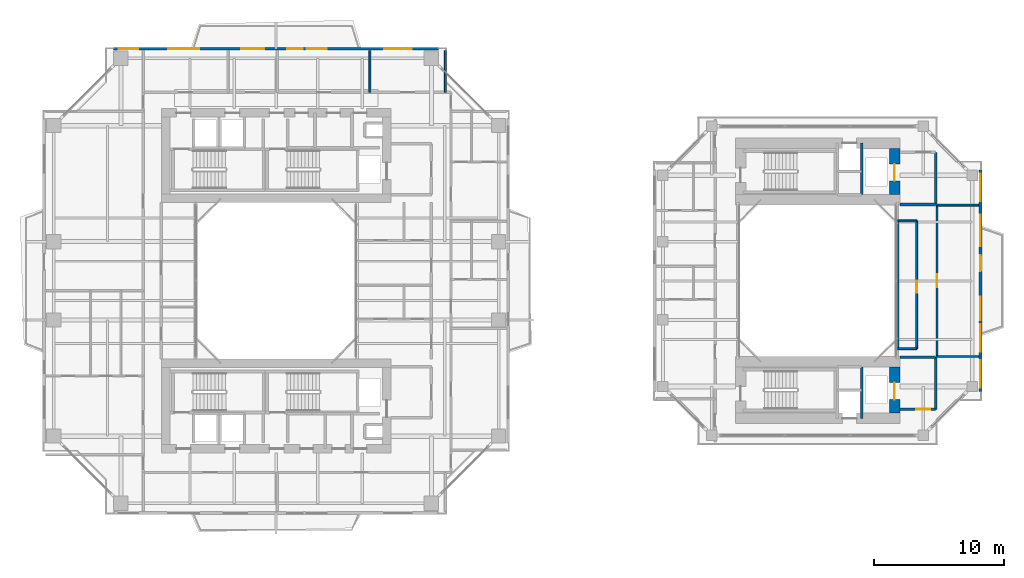
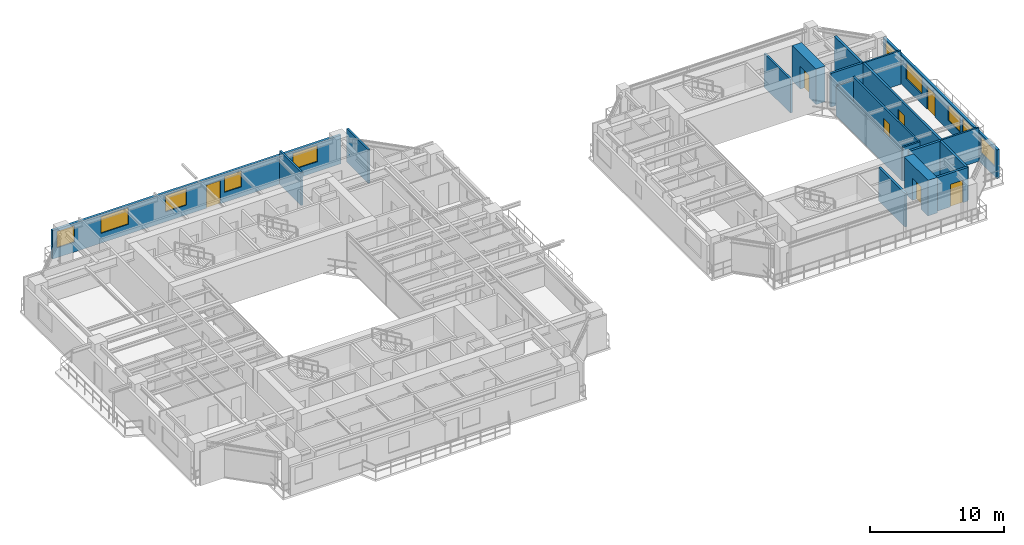
# One storey, part 18 of 23: 20 walls, 10 windows, 7 doors, 17 openings.
"""IFC4 building model written with IfcOpenShell, lengths in metres."""

from ifc_helpers import new_model, si_unit, direction, frame, frame_2d, origin, place, context, subcontext, project, spatial, rectangle, extrude, source, transform, mapped, material, layer, layer_set, type_object, element, fill, save


model = new_model("IFC4")

# Units and contexts
model_context = context("Model", 3, precision=1e-05, world=origin(), true_north=direction((0.0, 1.0)))
body_context = subcontext(model_context, "Body", "Model", "MODEL_VIEW")
ifc_project = project(units=[si_unit("LENGTHUNIT", "METRE"), si_unit("AREAUNIT", "SQUARE_METRE"), si_unit("VOLUMEUNIT", "CUBIC_METRE"), si_unit("PLANEANGLEUNIT", "RADIAN"), si_unit("MASSUNIT", "GRAM", prefix="KILO"), si_unit("THERMODYNAMICTEMPERATUREUNIT", "KELVIN"), si_unit("POWERUNIT", "WATT")], contexts=[model_context])

# Site, building, storey
site_placement = place(None, origin())
site = spatial("IfcSite", under=ifc_project, at=site_placement, CompositionType="ELEMENT")
building_placement = place(site_placement, origin())
building = spatial("IfcBuilding", under=site, at=building_placement, Name="Qiaomeng Ring Towers", CompositionType="ELEMENT")
storey_placement = place(building_placement, frame((0.0, 0.0, 100.25)))
storey = spatial("IfcBuildingStorey", under=building, at=storey_placement, Name="L28", CompositionType="ELEMENT", Elevation=100.25)

# Wall, openings, windows, door
ifc_material_1 = material(Name="Precast concrete C40", Category="concrete")
ifc_layer_1 = layer(ifc_material_1, 0.219970703125, Name="Precast concrete C40")
ifc_layer_set_1 = layer_set([ifc_layer_1], Name="Precast concrete C40")
wall_type_1 = type_object("IfcWallType", Name="ARC-WL-EW2", PredefinedType="STANDARD", material=ifc_layer_set_1)
wall_1_placement = place(storey_placement, frame((6.550048828125, 40.7900390625, 0.0), z_axis=(0.0, 0.0, 1.0), x_axis=(1.0, 0.0, 0.0)))
wall_1 = element("IfcWall", 1, at=wall_1_placement, inside=storey, type_object=wall_type_1, Name="L28 Tower 1 N Exterior Wall", PredefinedType="STANDARD", context=body_context, shape_type="SweptSolid", body=[
    extrude(rectangle(XDim=24.89990234375, YDim=0.219970703125, at=frame_2d((12.449951171875, 0.0))), origin(), (0.0, 0.0, 1.0), 2.610107421875),
])
opening_1_placement = place(wall_1_placement, frame((13.300048828125, 0.0, 0.0)))
opening_1 = element("IfcOpeningElement", 2, at=opening_1_placement, cuts=wall_1, Name="Opening BD1", PredefinedType="OPENING", context=body_context, shape_type="SweptSolid", body=[
    extrude(rectangle(XDim=1.199951171875, YDim=2.10009765625, at=frame_2d((0.60009765625, 1.050048828125))), frame((0.0, 0.119873046875, 0.0), z_axis=(0.0, -1.0, 0.0), x_axis=(1.0, 0.0, 0.0)), (0.0, 0.0, 1.0), 0.239990234375),
])
opening_2_placement = place(wall_1_placement, frame((0.392578125, 0.0, 0.89990234375)))
opening_2 = element("IfcOpeningElement", 3, at=opening_2_placement, cuts=wall_1, Name="Opening WN2", PredefinedType="OPENING", context=body_context, shape_type="SweptSolid", body=[
    extrude(rectangle(XDim=1.5, YDim=1.5, at=frame_2d((0.75, 0.75))), frame((0.0, 0.119873046875, 0.0), z_axis=(0.0, -1.0, 0.0), x_axis=(1.0, 0.0, 0.0)), (0.0, 0.0, 1.0), 0.239990234375),
])
opening_3_placement = place(wall_1_placement, frame((9.760009765625, 0.0, 0.89990234375)))
opening_3 = element("IfcOpeningElement", 4, at=opening_3_placement, cuts=wall_1, Name="Opening WN1", PredefinedType="OPENING", context=body_context, shape_type="SweptSolid", body=[
    extrude(rectangle(XDim=1.800048828125, YDim=1.5, at=frame_2d((0.89990234375, 0.75))), frame((0.0, 0.119873046875, 0.0), z_axis=(0.0, -1.0, 0.0), x_axis=(1.0, 0.0, 0.0)), (0.0, 0.0, 1.0), 0.239990234375),
])
opening_4_placement = place(wall_1_placement, frame((14.81298828125, 0.0, 0.89990234375)))
opening_4 = element("IfcOpeningElement", 5, at=opening_4_placement, cuts=wall_1, Name="Opening WN2", PredefinedType="OPENING", context=body_context, shape_type="SweptSolid", body=[
    extrude(rectangle(XDim=1.5, YDim=1.449951171875, at=frame_2d((0.75, 0.72509765625))), frame((0.0, 0.119873046875, 0.0), z_axis=(0.0, -1.0, 0.0), x_axis=(1.0, 0.0, 0.0)), (0.0, 0.0, 1.0), 0.239990234375),
])
opening_5_placement = place(wall_1_placement, frame((20.738037109375, 0.0, 0.89990234375)))
opening_5 = element("IfcOpeningElement", 6, at=opening_5_placement, cuts=wall_1, Name="Opening WN4", PredefinedType="OPENING", context=body_context, shape_type="SweptSolid", body=[
    extrude(rectangle(XDim=2.10009765625, YDim=1.47998046875, at=frame_2d((1.050048828125, 0.739990234375))), frame((0.0, 0.119873046875, 0.0), z_axis=(0.0, -1.0, 0.0), x_axis=(1.0, 0.0, 0.0)), (0.0, 0.0, 1.0), 0.239990234375),
])
opening_6_placement = place(wall_1_placement, frame((4.17138671875, 0.0, 0.89990234375)))
opening_6 = element("IfcOpeningElement", 7, at=opening_6_placement, cuts=wall_1, Name="Opening WN6", PredefinedType="OPENING", context=body_context, shape_type="SweptSolid", body=[
    extrude(rectangle(XDim=2.39990234375, YDim=1.5, at=frame_2d((1.199951171875, 0.75))), frame((0.0, 0.119873046875, 0.0), z_axis=(0.0, -1.0, 0.0), x_axis=(1.0, 0.0, 0.0)), (0.0, 0.0, 1.0), 0.239990234375),
])
ifc_material_2 = material(Name="Low-E dark-grey laminated double glazing", Category="glass")
window_type_1 = type_object("IfcWindowType", Name="ARC-WN-2", PartitioningType="DOUBLE_PANEL_VERTICAL", PredefinedType="WINDOW", material=ifc_material_2)
shared_shape_1 = source(origin(), body_context, "Body", "SweptSolid", [
    extrude(rectangle(XDim=1.5, YDim=1.449951171875, at=frame_2d((0.75, 0.72509765625))), frame((0.0, 0.030029296875, 0.0), z_axis=(0.0, -1.0, 0.0), x_axis=(1.0, 0.0, 0.0)), (0.0, 0.0, 1.0), 0.06005859375),
])
window_1_placement = place(opening_4_placement, origin())
window_1 = element("IfcWindow", 8, at=window_1_placement, inside=storey, type_object=window_type_1, Name="L28 Exterior Window WN2", OverallHeight=1.449951171875, OverallWidth=1.5, PartitioningType="DOUBLE_PANEL_VERTICAL", PredefinedType="WINDOW", context=body_context, shape_type="MappedRepresentation", body=[
    mapped(shared_shape_1, transform((0.0, 0.0, 0.0), x_axis=(1.0, 0.0, 0.0), y_axis=(0.0, 1.0, 0.0), z_axis=(0.0, 0.0, 1.0), scale=1.0)),
])
fill(opening_4, window_1)
window_type_2 = type_object("IfcWindowType", Name="ARC-WN-4", PartitioningType="TRIPLE_PANEL_VERTICAL", PredefinedType="WINDOW", material=ifc_material_2)
shared_shape_2 = source(origin(), body_context, "Body", "SweptSolid", [
    extrude(rectangle(XDim=2.10009765625, YDim=1.47998046875, at=frame_2d((1.050048828125, 0.739990234375))), frame((0.0, 0.030029296875, 0.0), z_axis=(0.0, -1.0, 0.0), x_axis=(1.0, 0.0, 0.0)), (0.0, 0.0, 1.0), 0.06005859375),
])
window_2_placement = place(opening_5_placement, origin())
window_2 = element("IfcWindow", 9, at=window_2_placement, inside=storey, type_object=window_type_2, Name="L28 Exterior Window WN4", OverallHeight=1.47998046875, OverallWidth=2.10009765625, PartitioningType="TRIPLE_PANEL_VERTICAL", PredefinedType="WINDOW", context=body_context, shape_type="MappedRepresentation", body=[
    mapped(shared_shape_2, transform((0.0, 0.0, 0.0), x_axis=(1.0, 0.0, 0.0), y_axis=(0.0, 1.0, 0.0), z_axis=(0.0, 0.0, 1.0), scale=1.0)),
])
fill(opening_5, window_2)
door_type_1 = type_object("IfcDoorType", Name="ARC-DR-BD1", OperationType="NOTDEFINED", PredefinedType="DOOR", material=ifc_material_2)
shared_shape_3 = source(origin(), body_context, "Body", "SweptSolid", [
    extrude(rectangle(XDim=1.199951171875, YDim=2.10009765625, at=frame_2d((0.60009765625, 1.050048828125))), frame((0.0, 0.02490234375, 0.0), z_axis=(0.0, -1.0, 0.0), x_axis=(1.0, 0.0, 0.0)), (0.0, 0.0, 1.0), 0.050048828125),
])
door_1_placement = place(opening_1_placement, origin())
door_1 = element("IfcDoor", 10, at=door_1_placement, inside=storey, type_object=door_type_1, Name="L28 N Balcony Glazed Door", OperationType="SINGLE_SWING_LEFT", OverallHeight=2.10009765625, OverallWidth=1.199951171875, PredefinedType="DOOR", context=body_context, shape_type="MappedRepresentation", body=[
    mapped(shared_shape_3, transform((0.0, 0.0, 0.0), x_axis=(1.0, 0.0, 0.0), y_axis=(0.0, 1.0, 0.0), z_axis=(0.0, 0.0, 1.0), scale=1.0)),
])
fill(opening_1, door_1)
shared_shape_4 = source(origin(), body_context, "Body", "SweptSolid", [
    extrude(rectangle(XDim=1.5, YDim=1.5, at=frame_2d((0.75, 0.75))), frame((0.0, 0.030029296875, 0.0), z_axis=(0.0, -1.0, 0.0), x_axis=(1.0, 0.0, 0.0)), (0.0, 0.0, 1.0), 0.06005859375),
])
window_3_placement = place(opening_2_placement, origin())
window_3 = element("IfcWindow", 11, at=window_3_placement, inside=storey, type_object=window_type_1, Name="L28 Exterior Window WN6", OverallHeight=1.5, OverallWidth=1.5, PartitioningType="TRIPLE_PANEL_VERTICAL", PredefinedType="WINDOW", context=body_context, shape_type="MappedRepresentation", body=[
    mapped(shared_shape_4, transform((0.0, 0.0, 0.0), x_axis=(1.0, 0.0, 0.0), y_axis=(0.0, 1.0, 0.0), z_axis=(0.0, 0.0, 1.0), scale=1.0)),
])
fill(opening_2, window_3)
window_type_3 = type_object("IfcWindowType", Name="ARC-WN-6", PartitioningType="TRIPLE_PANEL_VERTICAL", PredefinedType="WINDOW", material=ifc_material_2)
shared_shape_5 = source(origin(), body_context, "Body", "SweptSolid", [
    extrude(rectangle(XDim=2.39990234375, YDim=1.5, at=frame_2d((1.199951171875, 0.75))), frame((0.0, 0.030029296875, 0.0), z_axis=(0.0, -1.0, 0.0), x_axis=(1.0, 0.0, 0.0)), (0.0, 0.0, 1.0), 0.06005859375),
])
window_4_placement = place(opening_6_placement, origin())
window_4 = element("IfcWindow", 12, at=window_4_placement, inside=storey, type_object=window_type_3, Name="L28 Exterior Window WN6", OverallHeight=1.5, OverallWidth=2.39990234375, PartitioningType="TRIPLE_PANEL_VERTICAL", PredefinedType="WINDOW", context=body_context, shape_type="MappedRepresentation", body=[
    mapped(shared_shape_5, transform((0.0, 0.0, 0.0), x_axis=(1.0, 0.0, 0.0), y_axis=(0.0, 1.0, 0.0), z_axis=(0.0, 0.0, 1.0), scale=1.0)),
])
fill(opening_6, window_4)
window_type_4 = type_object("IfcWindowType", Name="ARC-WN-1", PartitioningType="DOUBLE_PANEL_VERTICAL", PredefinedType="WINDOW", material=ifc_material_2)
shared_shape_6 = source(origin(), body_context, "Body", "SweptSolid", [
    extrude(rectangle(XDim=1.800048828125, YDim=1.5, at=frame_2d((0.89990234375, 0.75))), frame((0.0, 0.030029296875, 0.0), z_axis=(0.0, -1.0, 0.0), x_axis=(1.0, 0.0, 0.0)), (0.0, 0.0, 1.0), 0.06005859375),
])
window_5_placement = place(opening_3_placement, origin())
window_5 = element("IfcWindow", 13, at=window_5_placement, inside=storey, type_object=window_type_4, Name="L28 Exterior Window WN1", OverallHeight=1.5, OverallWidth=1.800048828125, PartitioningType="DOUBLE_PANEL_VERTICAL", PredefinedType="WINDOW", context=body_context, shape_type="MappedRepresentation", body=[
    mapped(shared_shape_6, transform((0.0, 0.0, 0.0), x_axis=(1.0, 0.0, 0.0), y_axis=(0.0, 1.0, 0.0), z_axis=(0.0, 0.0, 1.0), scale=1.0)),
])
fill(opening_3, window_5)

wall_2_placement = place(storey_placement, frame((72.989990234375, 14.5, 0.0), z_axis=(0.0, 0.0, 1.0), x_axis=(0.0, 1.0, 0.0)))
wall_2 = element("IfcWall", 14, at=wall_2_placement, inside=storey, type_object=wall_type_1, Name="L28 Companion East Wall", PredefinedType="STANDARD", context=body_context, shape_type="SweptSolid", body=[
    extrude(rectangle(XDim=17.0, YDim=0.219970703125, at=frame_2d((8.5, 0.0))), origin(), (0.0, 0.0, 1.0), 2.610107421875),
])
opening_7_placement = place(wall_2_placement, frame((9.25, 0.0, 0.0)))
opening_7 = element("IfcOpeningElement", 15, at=opening_7_placement, cuts=wall_2, Name="Opening BD1", PredefinedType="OPENING", context=body_context, shape_type="SweptSolid", body=[
    extrude(rectangle(XDim=1.199951171875, YDim=2.10009765625, at=frame_2d((0.60009765625, 1.050048828125))), frame((0.0, 0.119873046875, 0.0), z_axis=(0.0, -1.0, 0.0), x_axis=(1.0, 0.0, 0.0)), (0.0, 0.0, 1.0), 0.239990234375),
])
opening_8_placement = place(wall_2_placement, frame((0.3076171875, 0.0, 0.89990234375)))
opening_8 = element("IfcOpeningElement", 16, at=opening_8_placement, cuts=wall_2, Name="Opening WN4", PredefinedType="OPENING", context=body_context, shape_type="SweptSolid", body=[
    extrude(rectangle(XDim=2.10009765625, YDim=1.5, at=frame_2d((1.050048828125, 0.75))), frame((0.0, 0.119873046875, 0.0), z_axis=(0.0, -1.0, 0.0), x_axis=(1.0, 0.0, 0.0)), (0.0, 0.0, 1.0), 0.239990234375),
])
opening_9_placement = place(wall_2_placement, frame((5.47509765625, 0.0, 0.89990234375)))
opening_9 = element("IfcOpeningElement", 17, at=opening_9_placement, cuts=wall_2, Name="Opening WN1", PredefinedType="OPENING", context=body_context, shape_type="SweptSolid", body=[
    extrude(rectangle(XDim=1.800048828125, YDim=1.449951171875, at=frame_2d((0.89990234375, 0.72509765625))), frame((0.0, 0.119873046875, 0.0), z_axis=(0.0, -1.0, 0.0), x_axis=(1.0, 0.0, 0.0)), (0.0, 0.0, 1.0), 0.239990234375),
])
opening_10_placement = place(wall_2_placement, frame((14.592529296875, 0.0, 0.89990234375)))
opening_10 = element("IfcOpeningElement", 18, at=opening_10_placement, cuts=wall_2, Name="Opening WN4", PredefinedType="OPENING", context=body_context, shape_type="SweptSolid", body=[
    extrude(rectangle(XDim=2.10009765625, YDim=1.5, at=frame_2d((1.050048828125, 0.75))), frame((0.0, 0.119873046875, 0.0), z_axis=(0.0, -1.0, 0.0), x_axis=(1.0, 0.0, 0.0)), (0.0, 0.0, 1.0), 0.239990234375),
])
opening_11_placement = place(wall_2_placement, frame((3.054931640625, 0.0, 0.89990234375)))
opening_11 = element("IfcOpeningElement", 19, at=opening_11_placement, cuts=wall_2, Name="Opening WN4", PredefinedType="OPENING", context=body_context, shape_type="SweptSolid", body=[
    extrude(rectangle(XDim=2.10009765625, YDim=1.5, at=frame_2d((1.050048828125, 0.75))), frame((0.0, 0.119873046875, 0.0), z_axis=(0.0, -1.0, 0.0), x_axis=(1.0, 0.0, 0.0)), (0.0, 0.0, 1.0), 0.239990234375),
])
opening_12_placement = place(wall_2_placement, frame((11.16748046875, 0.0, 0.89990234375)))
opening_12 = element("IfcOpeningElement", 20, at=opening_12_placement, cuts=wall_2, Name="Opening WN6", PredefinedType="OPENING", context=body_context, shape_type="SweptSolid", body=[
    extrude(rectangle(XDim=2.39990234375, YDim=1.5, at=frame_2d((1.199951171875, 0.75))), frame((0.0, 0.119873046875, 0.0), z_axis=(0.0, -1.0, 0.0), x_axis=(1.0, 0.0, 0.0)), (0.0, 0.0, 1.0), 0.239990234375),
])
shared_shape_7 = source(origin(), body_context, "Body", "SweptSolid", [
    extrude(rectangle(XDim=2.10009765625, YDim=1.5, at=frame_2d((1.050048828125, 0.75))), frame((0.0, 0.030029296875, 0.0), z_axis=(0.0, -1.0, 0.0), x_axis=(1.0, 0.0, 0.0)), (0.0, 0.0, 1.0), 0.06005859375),
])
window_6_placement = place(opening_8_placement, origin())
window_6 = element("IfcWindow", 21, at=window_6_placement, inside=storey, type_object=window_type_2, Name="L28 Exterior Window WN6", OverallHeight=1.5, OverallWidth=2.10009765625, PartitioningType="TRIPLE_PANEL_VERTICAL", PredefinedType="WINDOW", context=body_context, shape_type="MappedRepresentation", body=[
    mapped(shared_shape_7, transform((0.0, 0.0, 0.0), x_axis=(1.0, 0.0, 0.0), y_axis=(0.0, 1.0, 0.0), z_axis=(0.0, 0.0, 1.0), scale=1.0)),
])
fill(opening_8, window_6)
window_7_placement = place(opening_10_placement, origin())
window_7 = element("IfcWindow", 22, at=window_7_placement, inside=storey, type_object=window_type_2, Name="L28 Exterior Window WN4", OverallHeight=1.5, OverallWidth=2.10009765625, PartitioningType="TRIPLE_PANEL_VERTICAL", PredefinedType="WINDOW", context=body_context, shape_type="MappedRepresentation", body=[
    mapped(shared_shape_7, transform((0.0, 0.0, 0.0), x_axis=(1.0, 0.0, 0.0), y_axis=(0.0, 1.0, 0.0), z_axis=(0.0, 0.0, 1.0), scale=1.0)),
])
fill(opening_10, window_7)
window_8_placement = place(opening_11_placement, origin())
window_8 = element("IfcWindow", 23, at=window_8_placement, inside=storey, type_object=window_type_2, Name="L28 Exterior Window WN4", OverallHeight=1.5, OverallWidth=2.10009765625, PartitioningType="TRIPLE_PANEL_VERTICAL", PredefinedType="WINDOW", context=body_context, shape_type="MappedRepresentation", body=[
    mapped(shared_shape_7, transform((0.0, 0.0, 0.0), x_axis=(1.0, 0.0, 0.0), y_axis=(0.0, 1.0, 0.0), z_axis=(0.0, 0.0, 1.0), scale=1.0)),
])
fill(opening_11, window_8)
shared_shape_8 = source(origin(), body_context, "Body", "SweptSolid", [
    extrude(rectangle(XDim=1.800048828125, YDim=1.449951171875, at=frame_2d((0.89990234375, 0.72509765625))), frame((0.0, 0.030029296875, 0.0), z_axis=(0.0, -1.0, 0.0), x_axis=(1.0, 0.0, 0.0)), (0.0, 0.0, 1.0), 0.06005859375),
])
window_9_placement = place(opening_9_placement, origin())
window_9 = element("IfcWindow", 24, at=window_9_placement, inside=storey, type_object=window_type_4, Name="L28 Exterior Window WN1", OverallHeight=1.449951171875, OverallWidth=1.800048828125, PartitioningType="DOUBLE_PANEL_VERTICAL", PredefinedType="WINDOW", context=body_context, shape_type="MappedRepresentation", body=[
    mapped(shared_shape_8, transform((0.0, 0.0, 0.0), x_axis=(1.0, 0.0, 0.0), y_axis=(0.0, 1.0, 0.0), z_axis=(0.0, 0.0, 1.0), scale=1.0)),
])
fill(opening_9, window_9)
door_2_placement = place(opening_7_placement, origin())
door_2 = element("IfcDoor", 25, at=door_2_placement, inside=storey, type_object=door_type_1, Name="L28 Companion East Balcony Door", OperationType="SINGLE_SWING_LEFT", OverallHeight=2.10009765625, OverallWidth=1.199951171875, PredefinedType="DOOR", context=body_context, shape_type="MappedRepresentation", body=[
    mapped(shared_shape_3, transform((0.0, 0.0, 0.0), x_axis=(1.0, 0.0, 0.0), y_axis=(0.0, 1.0, 0.0), z_axis=(0.0, 0.0, 1.0), scale=1.0)),
])
fill(opening_7, door_2)
window_10_placement = place(opening_12_placement, origin())
window_10 = element("IfcWindow", 26, at=window_10_placement, inside=storey, type_object=window_type_3, Name="L28 Exterior Window WN6", OverallHeight=1.5, OverallWidth=2.39990234375, PartitioningType="TRIPLE_PANEL_VERTICAL", PredefinedType="WINDOW", context=body_context, shape_type="MappedRepresentation", body=[
    mapped(shared_shape_5, transform((0.0, 0.0, 0.0), x_axis=(1.0, 0.0, 0.0), y_axis=(0.0, 1.0, 0.0), z_axis=(0.0, 0.0, 1.0), scale=1.0)),
])
fill(opening_12, window_10)

# Walls
ifc_material_3 = material(Name="Autoclaved aerated concrete block", Category="concrete")
ifc_layer_2 = layer(ifc_material_3, 0.199951171875, Name="Autoclaved aerated concrete block")
ifc_layer_set_2 = layer_set([ifc_layer_2], Name="Autoclaved aerated concrete block")
wall_type_2 = type_object("IfcWallType", Name="ARC-WL-PW1", PredefinedType="PARTITIONING", material=ifc_layer_set_2)
wall_3_placement = place(storey_placement, frame((66.800048828125, 28.85009765625, 0.0), z_axis=(0.0, 0.0, 1.0), x_axis=(1.0, 0.0, 0.0)))
element("IfcWall", 27, at=wall_3_placement, inside=storey, type_object=wall_type_2, Name="L28 Interior Wall PW1", PredefinedType="PARTITIONING", context=body_context, shape_type="SweptSolid", body=[
    extrude(rectangle(XDim=2.75, YDim=0.199951171875, at=frame_2d((1.375, 0.0))), origin(), (0.0, 0.0, 1.0), 3.070068359375),
])
wall_4_placement = place(storey_placement, frame((69.550048828125, 28.85009765625, 0.0), z_axis=(0.0, 0.0, 1.0), x_axis=(0.0, 1.0, 0.0)))
element("IfcWall", 28, at=wall_4_placement, inside=storey, type_object=wall_type_2, Name="L28 Interior Wall PW1", PredefinedType="PARTITIONING", context=body_context, shape_type="SweptSolid", body=[
    extrude(rectangle(XDim=4.0, YDim=0.199951171875, at=frame_2d((2.0, 0.0))), origin(), (0.0, 0.0, 1.0), 3.070068359375),
])
wall_5_placement = place(storey_placement, frame((66.800048828125, 17.14990234375, 0.0), z_axis=(0.0, 0.0, 1.0), x_axis=(1.0, 0.0, 0.0)))
element("IfcWall", 29, at=wall_5_placement, inside=storey, type_object=wall_type_2, Name="L28 Interior Wall PW1", PredefinedType="PARTITIONING", context=body_context, shape_type="SweptSolid", body=[
    extrude(rectangle(XDim=2.75, YDim=0.199951171875, at=frame_2d((1.375, 0.0))), origin(), (0.0, 0.0, 1.0), 3.070068359375),
])
wall_6_placement = place(storey_placement, frame((69.550048828125, 13.14990234375, 0.0), z_axis=(0.0, 0.0, 1.0), x_axis=(0.0, 1.0, 0.0)))
element("IfcWall", 30, at=wall_6_placement, inside=storey, type_object=wall_type_2, Name="L28 Interior Wall PW1", PredefinedType="PARTITIONING", context=body_context, shape_type="SweptSolid", body=[
    extrude(rectangle(XDim=4.0, YDim=0.199951171875, at=frame_2d((2.0, 0.0))), origin(), (0.0, 0.0, 1.0), 3.070068359375),
])

# Wall, opening, door
wall_7_placement = place(storey_placement, frame((66.800048828125, 13.14990234375, 0.0), z_axis=(0.0, 0.0, 1.0), x_axis=(1.0, 0.0, 0.0)))
wall_7 = element("IfcWall", 31, at=wall_7_placement, inside=storey, type_object=wall_type_2, Name="L28 Interior Wall PW1", PredefinedType="PARTITIONING", context=body_context, shape_type="SweptSolid", body=[
    extrude(rectangle(XDim=2.75, YDim=0.199951171875, at=frame_2d((1.375, 0.0))), origin(), (0.0, 0.0, 1.0), 3.070068359375),
])
opening_13_placement = place(wall_7_placement, frame((1.25, 0.0, 0.0)))
opening_13 = element("IfcOpeningElement", 32, at=opening_13_placement, cuts=wall_7, Name="Opening FD3", PredefinedType="OPENING", context=body_context, shape_type="SweptSolid", body=[
    extrude(rectangle(XDim=1.10009765625, YDim=2.050048828125, at=frame_2d((0.550048828125, 1.02490234375))), frame((0.0, 0.10986328125, 0.0), z_axis=(0.0, -1.0, 0.0), x_axis=(1.0, 0.0, 0.0)), (0.0, 0.0, 1.0), 0.219970703125),
])
ifc_material_4 = material(Name="Galvanised steel", Category="steel")
door_type_2 = type_object("IfcDoorType", Name="ARC-DR-FD3", OperationType="NOTDEFINED", PredefinedType="DOOR", material=ifc_material_4)
shared_shape_9 = source(origin(), body_context, "Body", "SweptSolid", [
    extrude(rectangle(XDim=1.10009765625, YDim=2.050048828125, at=frame_2d((0.550048828125, 1.02490234375))), frame((0.0, 0.02490234375, 0.0), z_axis=(0.0, -1.0, 0.0), x_axis=(1.0, 0.0, 0.0)), (0.0, 0.0, 1.0), 0.050048828125),
])
door_3_placement = place(opening_13_placement, origin())
door_3 = element("IfcDoor", 33, at=door_3_placement, inside=storey, type_object=door_type_2, Name="L28 Door FD3", OperationType="SINGLE_SWING_LEFT", OverallHeight=2.050048828125, OverallWidth=1.10009765625, PredefinedType="DOOR", context=body_context, shape_type="MappedRepresentation", body=[
    mapped(shared_shape_9, transform((0.0, 0.0, 0.0), x_axis=(1.0, 0.0, 0.0), y_axis=(0.0, 1.0, 0.0), z_axis=(0.0, 0.0, 1.0), scale=1.0)),
])
fill(opening_13, door_3)

ifc_layer_3 = layer(ifc_material_3, 0.179931640625, Name="Autoclaved aerated concrete block")
ifc_layer_set_3 = layer_set([ifc_layer_3], Name="Autoclaved aerated concrete block")
wall_type_3 = type_object("IfcWallType", Name="ARC-WL-PW2", PredefinedType="PARTITIONING", material=ifc_layer_set_3)
wall_8_placement = place(storey_placement, frame((69.64990234375, 17.199951171875, 0.0), z_axis=(0.0, 0.0, 1.0), x_axis=(0.0, 1.0, 0.0)))
wall_8 = element("IfcWall", 34, at=wall_8_placement, inside=storey, type_object=wall_type_3, Name="L28 Interior Wall PW2", PredefinedType="PARTITIONING", context=body_context, shape_type="SweptSolid", body=[
    extrude(rectangle(XDim=11.60009765625, YDim=0.179931640625, at=frame_2d((5.800048828125, 0.0))), origin(), (0.0, 0.0, 1.0), 3.070068359375),
])
opening_14_placement = place(wall_8_placement, frame((5.300048828125, 0.0, 0.0)))
opening_14 = element("IfcOpeningElement", 35, at=opening_14_placement, cuts=wall_8, Name="Opening FD4", PredefinedType="OPENING", context=body_context, shape_type="SweptSolid", body=[
    extrude(rectangle(XDim=1.0, YDim=2.050048828125, at=frame_2d((0.5, 1.02490234375))), frame((0.0, 0.099853515625, 0.0), z_axis=(0.0, -1.0, 0.0), x_axis=(1.0, 0.0, 0.0)), (0.0, 0.0, 1.0), 0.199951171875),
])
ifc_material_5 = material(Name="Engineered fire-rated oak timber", Category="wood")
door_type_3 = type_object("IfcDoorType", Name="ARC-DR-FD4", OperationType="NOTDEFINED", PredefinedType="DOOR", material=ifc_material_5)
shared_shape_10 = source(origin(), body_context, "Body", "SweptSolid", [
    extrude(rectangle(XDim=1.0, YDim=2.050048828125, at=frame_2d((0.5, 1.02490234375))), frame((0.0, 0.02490234375, 0.0), z_axis=(0.0, -1.0, 0.0), x_axis=(1.0, 0.0, 0.0)), (0.0, 0.0, 1.0), 0.050048828125),
])
door_4_placement = place(opening_14_placement, origin())
door_4 = element("IfcDoor", 36, at=door_4_placement, inside=storey, type_object=door_type_3, Name="L28 Door FD4", OperationType="SINGLE_SWING_LEFT", OverallHeight=2.050048828125, OverallWidth=1.0, PredefinedType="DOOR", context=body_context, shape_type="MappedRepresentation", body=[
    mapped(shared_shape_10, transform((0.0, 0.0, 0.0), x_axis=(1.0, 0.0, 0.0), y_axis=(0.0, 1.0, 0.0), z_axis=(0.0, 0.0, 1.0), scale=1.0)),
])
fill(opening_14, door_4)

# Walls
ifc_material_6 = material(Name="Gypsum fireboard steel-stud partition", Category="steel")
ifc_layer_4 = layer(ifc_material_6, 0.14990234375, Name="Gypsum fireboard steel-stud partition")
ifc_layer_set_4 = layer_set([ifc_layer_4], Name="Gypsum fireboard steel-stud partition")
wall_type_4 = type_object("IfcWallType", Name="ARC-WL-PW3", PredefinedType="PARTITIONING", material=ifc_layer_set_4)
for number, where, z_axis, x_axis, name in (
    (37, (26.18994140625, 37.43994140625, 0.0), (0.0, 0.0, 1.0), (0.0, 1.0, 0.0), "L28 Interior Wall PW3"),
    (38, (31.97998046875, 37.43994140625, 0.0), (0.0, 0.0, 1.0), (0.0, 1.0, 0.0), "L28 Interior Wall PW3"),
):
    element("IfcWall", number, at=place(storey_placement, frame(where, z_axis=z_axis, x_axis=x_axis)), inside=storey, type_object=wall_type_4, Name=name, PredefinedType="PARTITIONING", context=body_context, shape_type="SweptSolid", body=[
        extrude(rectangle(XDim=3.2099609375, YDim=0.14990234375, at=frame_2d((1.60498046875, 0.0))), origin(), (0.0, 0.0, 1.0), 3.070068359375),
    ])
for number, where, z_axis, x_axis, name in (
    (39, (69.64990234375, 17.199951171875, 0.0), (0.0, 0.0, 1.0), (1.0, 0.0, 0.0), "L28 Interior Wall PW3"),
    (40, (69.64990234375, 28.800048828125, 0.0), (0.0, 0.0, 1.0), (1.0, 0.0, 0.0), "L28 Interior Wall PW3"),
):
    element("IfcWall", number, at=place(storey_placement, frame(where, z_axis=z_axis, x_axis=x_axis)), inside=storey, type_object=wall_type_4, Name=name, PredefinedType="PARTITIONING", context=body_context, shape_type="SweptSolid", body=[
        extrude(rectangle(XDim=3.2001953125, YDim=0.14990234375, at=frame_2d((1.60009765625, 0.0))), origin(), (0.0, 0.0, 1.0), 3.070068359375),
    ])

# Wall, opening, door
wall_9_placement = place(storey_placement, frame((68.10009765625, 17.800048828125, 0.0), z_axis=(0.0, 0.0, 1.0), x_axis=(0.0, 1.0, 0.0)))
wall_9 = element("IfcWall", 41, at=wall_9_placement, inside=storey, type_object=wall_type_4, Name="L28 Interior Wall PW3", PredefinedType="PARTITIONING", context=body_context, shape_type="SweptSolid", body=[
    extrude(rectangle(XDim=9.800048828125, YDim=0.14990234375, at=frame_2d((4.89990234375, 0.0))), origin(), (0.0, 0.0, 1.0), 3.070068359375),
])
opening_15_placement = place(wall_9_placement, frame((4.300048828125, 0.0, 0.0)))
opening_15 = element("IfcOpeningElement", 42, at=opening_15_placement, cuts=wall_9, Name="Opening ID1", PredefinedType="OPENING", context=body_context, shape_type="SweptSolid", body=[
    extrude(rectangle(XDim=0.89990234375, YDim=2.050048828125, at=frame_2d((0.449951171875, 1.02490234375))), frame((0.0, 0.0849609375, 0.0), z_axis=(0.0, -1.0, 0.0), x_axis=(1.0, 0.0, 0.0)), (0.0, 0.0, 1.0), 0.169921875),
])
ifc_material_7 = material(Name="Engineered oak timber", Category="wood")
door_type_4 = type_object("IfcDoorType", Name="ARC-DR-ID1", OperationType="NOTDEFINED", PredefinedType="DOOR", material=ifc_material_7)
shared_shape_11 = source(origin(), body_context, "Body", "SweptSolid", [
    extrude(rectangle(XDim=0.89990234375, YDim=2.050048828125, at=frame_2d((0.449951171875, 1.02490234375))), frame((0.0, 0.02490234375, 0.0), z_axis=(0.0, -1.0, 0.0), x_axis=(1.0, 0.0, 0.0)), (0.0, 0.0, 1.0), 0.050048828125),
])
door_5_placement = place(opening_15_placement, origin())
door_5 = element("IfcDoor", 43, at=door_5_placement, inside=storey, type_object=door_type_4, Name="L28 Door ID1", OperationType="SINGLE_SWING_RIGHT", OverallHeight=2.050048828125, OverallWidth=0.89990234375, PredefinedType="DOOR", context=body_context, shape_type="MappedRepresentation", body=[
    mapped(shared_shape_11, transform((0.0, 0.0, 0.0), x_axis=(1.0, 0.0, 0.0), y_axis=(0.0, 1.0, 0.0), z_axis=(0.0, 0.0, 1.0), scale=1.0)),
])
fill(opening_15, door_5)

# Walls
wall_10_placement = place(storey_placement, frame((66.64990234375, 27.60009765625, 0.0), z_axis=(0.0, 0.0, 1.0), x_axis=(1.0, 0.0, 0.0)))
element("IfcWall", 44, at=wall_10_placement, inside=storey, type_object=wall_type_4, Name="L28 Interior Wall PW3", PredefinedType="PARTITIONING", context=body_context, shape_type="SweptSolid", body=[
    extrude(rectangle(XDim=1.4501953125, YDim=0.14990234375, at=frame_2d((0.72509765625, 0.0))), origin(), (0.0, 0.0, 1.0), 2.764892578125),
])
wall_11_placement = place(storey_placement, frame((66.64990234375, 17.800048828125, 0.0), z_axis=(0.0, 0.0, 1.0), x_axis=(1.0, 0.0, 0.0)))
element("IfcWall", 45, at=wall_11_placement, inside=storey, type_object=wall_type_4, Name="L28 Interior Wall PW3", PredefinedType="PARTITIONING", context=body_context, shape_type="SweptSolid", body=[
    extrude(rectangle(XDim=1.4501953125, YDim=0.14990234375, at=frame_2d((0.72509765625, 0.0))), origin(), (0.0, 0.0, 1.0), 3.070068359375),
])
wall_12_placement = place(storey_placement, frame((66.64990234375, 17.800048828125, 0.0), z_axis=(0.0, 0.0, 1.0), x_axis=(0.0, 1.0, 0.0)))
element("IfcWall", 46, at=wall_12_placement, inside=storey, type_object=wall_type_4, Name="L28 Interior Wall PW3", PredefinedType="PARTITIONING", context=body_context, shape_type="SweptSolid", body=[
    extrude(rectangle(XDim=9.800048828125, YDim=0.14990234375, at=frame_2d((4.89990234375, 0.0))), origin(), (0.0, 0.0, 1.0), 2.6650390625),
])
ifc_material_8 = material(Name="Concrete C40", Category="concrete")
ifc_layer_5 = layer(ifc_material_8, 0.199951171875, Name="Concrete C40")
ifc_layer_set_5 = layer_set([ifc_layer_5], Name="Concrete C40")
wall_type_5 = type_object("IfcWallType", Name="STR-WL-STSHAFT", PredefinedType="SHEAR", material=ifc_layer_set_5)
for number, where, z_axis, x_axis, name in (
    (47, (63.8798828125, 29.60009765625, 0.0), (0.0, 0.0, 1.0), (0.0, 1.0, 0.0), "L28 Companion Lift Shaft East Wall N"),
    (48, (63.8798828125, 12.449951171875, 0.0), (0.0, 0.0, 1.0), (0.0, 1.0, 0.0), "L28 Companion Lift Shaft East Wall S"),
):
    element("IfcWall", number, at=place(storey_placement, frame(where, z_axis=z_axis, x_axis=x_axis)), inside=storey, type_object=wall_type_5, Name=name, PredefinedType="SHEAR", context=body_context, shape_type="SweptSolid", body=[
        extrude(rectangle(XDim=3.949951171875, YDim=0.179931640625, at=frame_2d((1.97509765625, 0.0))), origin(), (0.0, 0.0, 1.0), 3.070068359375),
    ])

# Wall, opening, door
ifc_material_9 = material(Name="Concrete C60", Category="concrete")
ifc_layer_6 = layer(ifc_material_9, 0.800048828125, Name="Concrete C60")
ifc_layer_set_6 = layer_set([ifc_layer_6], Name="Concrete C60")
wall_type_6 = type_object("IfcWallType", Name="STR-WL-SW1", PredefinedType="SHEAR", material=ifc_layer_set_6)
wall_13_placement = place(storey_placement, frame((66.39990234375, 29.60009765625, 0.0), z_axis=(0.0, 0.0, 1.0), x_axis=(0.0, 1.0, 0.0)))
wall_13 = element("IfcWall", 49, at=wall_13_placement, inside=storey, type_object=wall_type_6, Name="L28 T2NC east core shear wall", PredefinedType="SHEAR", context=body_context, shape_type="SweptSolid", body=[
    extrude(rectangle(XDim=3.5498046875, YDim=0.800048828125, at=frame_2d((1.77490234375, 0.0))), origin(), (0.0, 0.0, 1.0), 3.25),
])
opening_16_placement = place(wall_13_placement, frame((1.050048828125, 0.0, 0.0)))
opening_16 = element("IfcOpeningElement", 50, at=opening_16_placement, cuts=wall_13, Name="Opening LD2", PredefinedType="OPENING", context=body_context, shape_type="SweptSolid", body=[
    extrude(rectangle(XDim=1.300048828125, YDim=2.050048828125, at=frame_2d((0.64990234375, 1.02490234375))), frame((0.0, 0.409912109375, 0.0), z_axis=(0.0, -1.0, 0.0), x_axis=(1.0, 0.0, 0.0)), (0.0, 0.0, 1.0), 0.820068359375),
])
ifc_material_10 = material(Name="Stainless steel 316", Category="steel")
door_type_5 = type_object("IfcDoorType", Name="ARC-DR-LD2", OperationType="NOTDEFINED", PredefinedType="DOOR", material=ifc_material_10)
shared_shape_12 = source(origin(), body_context, "Body", "SweptSolid", [
    extrude(rectangle(XDim=1.300048828125, YDim=2.050048828125, at=frame_2d((0.64990234375, 1.02490234375))), frame((0.0, 0.02490234375, 0.0), z_axis=(0.0, -1.0, 0.0), x_axis=(1.0, 0.0, 0.0)), (0.0, 0.0, 1.0), 0.050048828125),
])
door_6_placement = place(opening_16_placement, origin())
door_6 = element("IfcDoor", 51, at=door_6_placement, inside=storey, type_object=door_type_5, Name="L28 Firefighting Lift FL3 Landing Door", OperationType="SLIDING_TO_LEFT", OverallHeight=2.050048828125, OverallWidth=1.300048828125, PredefinedType="DOOR", context=body_context, shape_type="MappedRepresentation", body=[
    mapped(shared_shape_12, transform((0.0, 0.0, 0.0), x_axis=(1.0, 0.0, 0.0), y_axis=(0.0, 1.0, 0.0), z_axis=(0.0, 0.0, 1.0), scale=1.0)),
])
fill(opening_16, door_6)

wall_14_placement = place(storey_placement, frame((66.39990234375, 12.85009765625, 0.0), z_axis=(0.0, 0.0, 1.0), x_axis=(0.0, 1.0, 0.0)))
wall_14 = element("IfcWall", 52, at=wall_14_placement, inside=storey, type_object=wall_type_6, Name="L28 T2SC east core shear wall", PredefinedType="SHEAR", context=body_context, shape_type="SweptSolid", body=[
    extrude(rectangle(XDim=3.5498046875, YDim=0.800048828125, at=frame_2d((1.77490234375, 0.0))), origin(), (0.0, 0.0, 1.0), 3.25),
])
opening_17_placement = place(wall_14_placement, frame((1.050048828125, 0.0, 0.0)))
opening_17 = element("IfcOpeningElement", 53, at=opening_17_placement, cuts=wall_14, Name="Opening LD2", PredefinedType="OPENING", context=body_context, shape_type="SweptSolid", body=[
    extrude(rectangle(XDim=1.300048828125, YDim=2.050048828125, at=frame_2d((0.64990234375, 1.02490234375))), frame((0.0, 0.409912109375, 0.0), z_axis=(0.0, -1.0, 0.0), x_axis=(1.0, 0.0, 0.0)), (0.0, 0.0, 1.0), 0.820068359375),
])
door_7_placement = place(opening_17_placement, origin())
door_7 = element("IfcDoor", 54, at=door_7_placement, inside=storey, type_object=door_type_5, Name="L28 Firefighting Lift FL4 Landing Door", OperationType="SLIDING_TO_RIGHT", OverallHeight=2.050048828125, OverallWidth=1.300048828125, PredefinedType="DOOR", context=body_context, shape_type="MappedRepresentation", body=[
    mapped(shared_shape_12, transform((0.0, 0.0, 0.0), x_axis=(1.0, 0.0, 0.0), y_axis=(0.0, 1.0, 0.0), z_axis=(0.0, 0.0, 1.0), scale=1.0)),
])
fill(opening_17, door_7)

save(model, "model.ifc")
